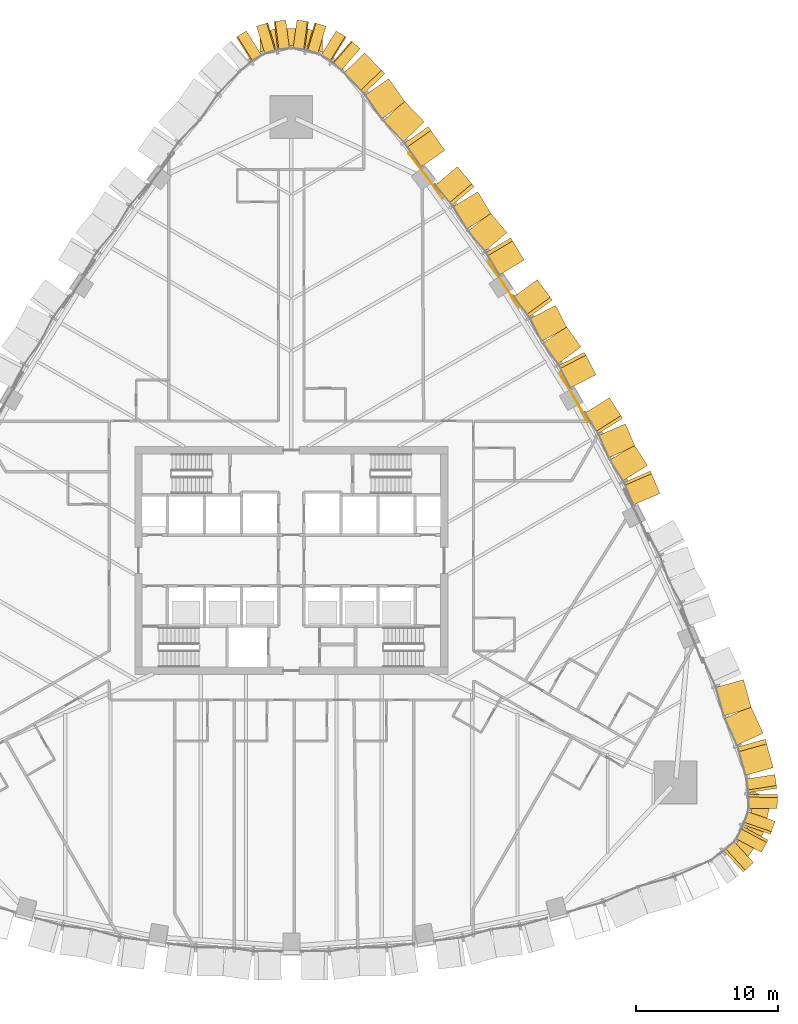
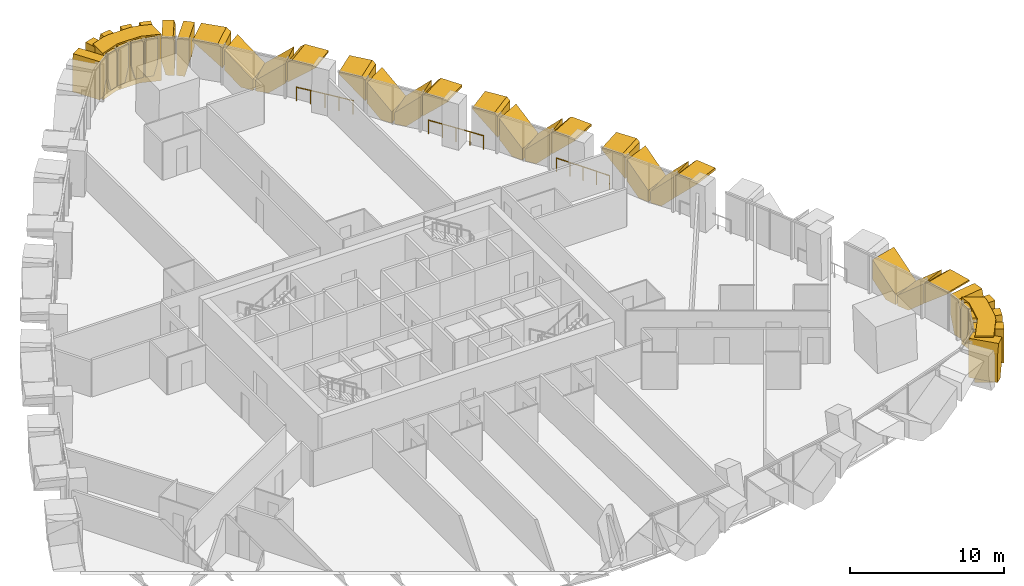
# One storey, part 23 of 24: 33 coverings, 3 railings.
"""IFC4 building model written with IfcOpenShell, lengths in metres."""

from ifc_helpers import new_model, si_unit, direction, frame, origin, origin_2d, place, context, subcontext, project, spatial, polyline, circle, outline, extrude, material, layer, layer_set, type_object, element, save


model = new_model("IFC4")

# Units and contexts
model_context = context("Model", 3, precision=1e-05, world=origin(), true_north=direction((0.0, 1.0)))
body_context = subcontext(model_context, "Body", "Model", "MODEL_VIEW")
ifc_project = project(units=[si_unit("LENGTHUNIT", "METRE"), si_unit("AREAUNIT", "SQUARE_METRE"), si_unit("VOLUMEUNIT", "CUBIC_METRE"), si_unit("PLANEANGLEUNIT", "RADIAN"), si_unit("MASSUNIT", "GRAM", prefix="KILO")], contexts=[model_context])

# Site, building, storey
site_placement = place(None, origin())
site = spatial("IfcSite", under=ifc_project, at=site_placement, CompositionType="ELEMENT")
building_placement = place(site_placement, origin())
building = spatial("IfcBuilding", under=site, at=building_placement, Name="Sierra Prisma Convention Tower", CompositionType="ELEMENT")
storey_placement = place(building_placement, frame((0.0, 0.0, 55.39990234375)))
storey = spatial("IfcBuildingStorey", under=building, at=storey_placement, Name="L09", CompositionType="ELEMENT", Elevation=55.39990234375)

# Coverings
ifc_material_1 = material(Name="Aluminium composite bronze anodised", Category="aluminium")
ifc_layer_1 = layer(ifc_material_1, 1.199951171875)
ifc_layer_set_1 = layer_set([ifc_layer_1], Name="Bronze corner pier")
covering_type_1 = type_object("IfcCoveringType", Name="Bronze corner pier", PredefinedType="CLADDING", material=ifc_layer_set_1)
covering_1_placement = place(storey_placement, frame((0.0, 0.0, -0.599853515625)))
element("IfcCovering", 1, at=covering_1_placement, inside=storey, type_object=covering_type_1, Name="Corner pier SE L09.1", PredefinedType="CLADDING", context=body_context, shape_type="SweptSolid", body=[
    extrude(outline(polyline([(33.218017578125, -19.04541015625), (33.04296875, -19.4443359375), (32.00634765625, -20.97314453125), (31.977294921875, -21.00244140625), (30.898681640625, -20.379638671875), (31.01318359375, -20.2998046875), (32.0498046875, -18.77099609375), (32.471923828125, -16.972900390625), (32.359619140625, -16.142333984375), (33.6572265625, -16.8916015625), (33.64013671875, -17.2470703125), (33.218017578125, -19.04541015625)])), origin(), (0.0, 0.0, 1.0), 3.699951171875),
])
covering_2_placement = place(storey_placement, frame((0.0, 0.0, -0.599853515625)))
element("IfcCovering", 2, at=covering_2_placement, inside=storey, type_object=covering_type_1, Name="Corner pier N L09.1", PredefinedType="CLADDING", context=body_context, shape_type="SweptSolid", body=[
    extrude(outline(polyline([(-0.85986328125, 37.406982421875), (0.85986328125, 37.406982421875), (1.259765625, 37.33837890625), (2.199951171875, 37.006103515625), (2.199951171875, 35.7333984375), (0.85986328125, 36.20703125), (-0.85986328125, 36.20703125), (-2.199951171875, 35.7333984375), (-2.199951171875, 37.006103515625), (-1.259765625, 37.33837890625), (-0.85986328125, 37.406982421875)])), origin(), (0.0, 0.0, 1.0), 3.699951171875),
])
ifc_material_2 = material(Name="Aluminium 6063-T6 bronze anodised", Category="aluminium")
ifc_layer_2 = layer(ifc_material_2, 2.0)
ifc_layer_set_2 = layer_set([ifc_layer_2], Name="Bronze crystal chevron frame")
covering_type_2 = type_object("IfcCoveringType", Name="Bronze crystal chevron frame", PredefinedType="CLADDING", material=ifc_layer_set_2)
covering_3_placement = place(storey_placement, frame((31.771728515625, -21.893310546875, 0.0), z_axis=(0.680955142336, -0.732325128677, -5.909032e-06), x_axis=(0.73232512869, 0.680955142348, -1.06e-10)))
element("IfcCovering", 3, at=covering_3_placement, inside=storey, type_object=covering_type_2, Name="CW-2 chevron frame SE1.1.2", PredefinedType="CLADDING", context=body_context, shape_type="SweptSolid", body=[
    extrude(outline(polyline([(0.0, 0.0), (0.5610834934957836, 0.0), (0.9741233269492914, 1.391113281363185), (0.9741233267804822, 2.9799804688354463), (0.19434161032267033, 2.979980468829169), (-2.4711817034517573e-10, 2.325927734334393), (0.0, 0.0)])), origin(), (0.0, 0.0, -1.0), 2.0),
])
covering_4_placement = place(storey_placement, frame((33.041259765625, -20.50830078125, 2.97998046875), z_axis=(0.881392856811, -0.472383987821, 3.526742e-06), x_axis=(3.108446e-06, -1.665977e-06, -0.999999999994)))
element("IfcCovering", 4, at=covering_4_placement, inside=storey, type_object=covering_type_2, Name="CW-2 chevron frame SE2.1.1", PredefinedType="CLADDING", context=body_context, shape_type="SweptSolid", body=[
    extrude(outline(polyline([(0.0, 0.0), (1.588867187490119, 0.0), (2.979980469004735, 0.41331673159905), (2.9799804687754228, 0.9741949449395889), (0.6540527344148875, 0.9741949449395889), (2.2463628799291612e-10, 0.7797725413978057), (0.0, 0.0)])), origin(), (0.0, 0.0, -1.0), 2.0),
])
covering_5_placement = place(storey_placement, frame((33.679443359375, -19.24365234375, 0.0), z_axis=(0.944493580696, -0.328529870663, -1.028767e-05), x_axis=(0.32852987068, 0.944493580746, 8.19e-10)))
element("IfcCovering", 5, at=covering_5_placement, inside=storey, type_object=covering_type_2, Name="CW-2 chevron frame SE2.1.2", PredefinedType="CLADDING", context=body_context, shape_type="SweptSolid", body=[
    extrude(outline(polyline([(0.0, 0.0), (0.560935332661838, -2.117582368135751e-22), (0.9742429128317911, 1.3911132803838429), (0.9742429141325268, 2.979980467799763), (0.19441748262497535, 2.979980469444971), (1.904134726792451e-09, 2.3259277342519162), (0.0, 0.0)])), origin(), (0.0, 0.0, -1.0), 2.0),
])
covering_6_placement = place(storey_placement, frame((34.1533203125, -17.425537109375, 2.97998046875), z_axis=(0.999987609555, -0.004977965567, 2.4408547e-05), x_axis=(2.4408245e-05, -1.21505e-07, -0.999999999702)))
element("IfcCovering", 6, at=covering_6_placement, inside=storey, type_object=covering_type_2, Name="CW-2 chevron frame SE3.1.1", PredefinedType="CLADDING", context=body_context, shape_type="SweptSolid", body=[
    extrude(outline(polyline([(0.0, 0.0), (1.5888671870266946, 0.0), (2.979980471272062, 0.4133358948170504), (2.9799804686826867, 0.9741333307186059), (0.6540527350005545, 0.9741333307186059), (5.969828460214075e-10, 0.779794939775008), (0.0, 0.0)])), origin(), (0.0, 0.0, -1.0), 2.0),
])
covering_7_placement = place(storey_placement, frame((34.12548828125, -16.009033203125, 0.0), z_axis=(0.988443183587, 0.151591793793, 2.9569282e-05), x_axis=(-0.151591793859, 0.98844318402, -3.69e-09)))
element("IfcCovering", 7, at=covering_7_placement, inside=storey, type_object=covering_type_2, Name="CW-2 chevron frame SE3.1.2", PredefinedType="CLADDING", context=body_context, shape_type="SweptSolid", body=[
    extrude(outline(polyline([(0.0, 0.0), (0.5609151404226612, 0.0), (0.9741535478589086, 1.3911132851759342), (0.9741535419954589, 2.979980471981327), (0.19439632515529215, 2.979980470322284), (-8.583448915273153e-09, 2.325927733358171), (0.0, 0.0)])), origin(), (0.0, 0.0, -1.0), 2.0),
])
covering_8_placement = place(storey_placement, frame((33.872802734375, -14.558837890625, 2.97998046875), z_axis=(0.96314435185, 0.268985050626, 6.236928e-06), x_axis=(6.007062e-06, 1.67764e-06, -0.999999999981)))
element("IfcCovering", 8, at=covering_8_placement, inside=storey, type_object=covering_type_2, Name="CW-2 chevron frame NE1.1.1", PredefinedType="CLADDING", context=body_context, shape_type="SweptSolid", body=[
    extrude(outline(polyline([(0.0, 0.0), (0.11401367187278248, -2.4143334128891495e-23), (1.85913085935018, 2.07577097369332), (0.29150390625566963, 2.07577097369332), (-6.541458624877486e-11, 1.7290098011596895), (0.0, 0.0)])), origin(), (0.0, 0.0, -1.0), 2.0),
])
covering_9_placement = place(storey_placement, frame((33.161865234375, -12.14306640625, 2.579345703125), z_axis=(0.909210430135, 0.416336874661, 2.3034587e-05), x_axis=(2.0943287e-05, 9.590148e-06, -0.999999999735)))
element("IfcCovering", 9, at=covering_9_placement, inside=storey, type_object=covering_type_2, Name="CW-2 chevron frame NE1.1.2", PredefinedType="CLADDING", context=body_context, shape_type="SweptSolid", body=[
    extrude(outline(polyline([(0.0, 0.0), (1.5676269527091147, 0.0), (2.579345704251925, 1.2034678749948213), (2.5793457029775197, 2.075912688948284), (1.7451171875738374, 2.075912688948284), (0.0, 0.0)])), origin(), (0.0, 0.0, -1.0), 2.0),
])
covering_10_placement = place(storey_placement, frame((32.34033203125, -10.3720703125, 0.0), z_axis=(0.963147549927, 0.268973598255, 2.2599076e-05), x_axis=(-0.268973598324, 0.963147550173, -1.406e-09)))
element("IfcCovering", 10, at=covering_10_placement, inside=storey, type_object=covering_type_2, Name="CW-2 chevron frame NE1.2.1", PredefinedType="CLADDING", context=body_context, shape_type="SweptSolid", body=[
    extrude(outline(polyline([(0.0, 0.0), (0.8724700917200985, -8.470329472543003e-22), (2.0757709721457456, 1.0117187531768346), (2.0757709699417006, 2.579345705901526), (-1.172904721923703e-09, 0.8342285154119721), (0.0, 0.0)])), origin(), (0.0, 0.0, -1.0), 2.0),
])
covering_11_placement = place(storey_placement, frame((25.912109375, 4.714111328125, 2.97998046875), z_axis=(0.918286859393, 0.395915697088, 6.8309802e-05), x_axis=(6.2727993e-05, 2.7044923e-05, -0.999999997667)))
element("IfcCovering", 11, at=covering_11_placement, inside=storey, type_object=covering_type_2, Name="CW-2 chevron frame NE3.1.1", PredefinedType="CLADDING", context=body_context, shape_type="SweptSolid", body=[
    extrude(outline(polyline([(0.0, 0.0), (0.19018554643127536, 0.0), (1.9147949184089352, 1.718015340307653), (0.21459960987568547, 1.718015340307653), (-8.820949985614628e-09, 1.504321622488748), (0.0, 0.0)])), origin(), (0.0, 0.0, -1.0), 2.0),
])
covering_12_placement = place(storey_placement, frame((25.02490234375, 6.683837890625, 2.635009765625), z_axis=(0.84510707542, 0.534597073452, -1.1496973e-05), x_axis=(-9.716173e-06, -6.146248e-06, -0.999999999934)))
element("IfcCovering", 12, at=covering_12_placement, inside=storey, type_object=covering_type_2, Name="CW-2 chevron frame NE3.1.2", PredefinedType="CLADDING", context=body_context, shape_type="SweptSolid", body=[
    extrude(outline(polyline([(0.0, 0.0), (1.7001953123876339, 0.0), (2.6350097659194853, 0.9311092619868796), (2.635009765574416, 1.71801903523248), (1.7246093750095843, 1.71801903523248), (0.0, 0.0)])), origin(), (0.0, 0.0, -1.0), 2.0),
])
covering_13_placement = place(storey_placement, frame((24.164306640625, 8.02587890625, 0.0), z_axis=(0.918292817178, 0.395901884027, 1.1965024e-05), x_axis=(-0.395901884055, 0.918292817244, -4.75e-10)))
element("IfcCovering", 13, at=covering_13_placement, inside=storey, type_object=covering_type_2, Name="CW-2 chevron frame NE3.2.1", PredefinedType="CLADDING", context=body_context, shape_type="SweptSolid", body=[
    extrude(outline(polyline([(0.0, 0.0), (0.7869427595449374, 0.0), (1.7180153398898188, 0.9348144540078405), (1.7180153390823563, 2.6350097663861387), (-4.323704947032593e-10, 0.9104003905598326), (0.0, 0.0)])), origin(), (0.0, 0.0, -1.0), 2.0),
])
covering_14_placement = place(storey_placement, frame((22.358642578125, 11.447265625, 2.97998046875), z_axis=(0.845061825182, 0.534668599461, -1.9233289e-05), x_axis=(0.53466859956, -0.845061825339, 4.65e-10)))
element("IfcCovering", 14, at=covering_14_placement, inside=storey, type_object=covering_type_2, Name="CW-2 chevron frame NE3.2.2", PredefinedType="CLADDING", context=body_context, shape_type="SweptSolid", body=[
    extrude(outline(polyline([(0.0, 0.0), (1.5040503490388701, 1.6940658945086007e-21), (1.7178127159665897, 0.21459961021336685), (1.717812715176106, 1.9147949223988994), (-8.842428399478558e-11, 0.19018554683982333), (0.0, 0.0)])), origin(), (0.0, 0.0, -1.0), 2.0),
])
covering_15_placement = place(storey_placement, frame((21.416259765625, 13.056396484375, 2.97998046875), z_axis=(0.889570592092, 0.456797724849, 1.605548e-05), x_axis=(1.4282483e-05, 7.334107e-06, -0.999999999871)))
element("IfcCovering", 15, at=covering_15_placement, inside=storey, type_object=covering_type_2, Name="CW-2 chevron frame NE4.1.1", PredefinedType="CLADDING", context=body_context, shape_type="SweptSolid", body=[
    extrude(outline(polyline([(0.0, 0.0), (0.17480468747746955, 1.4806532964699195e-22), (1.9033203123139664, 1.7786938077600265), (0.22998046877964198, 1.7786938077600265), (-4.764118240295631e-10, 1.5418625545352764), (0.0, 0.0)])), origin(), (0.0, 0.0, -1.0), 2.0),
])
covering_16_placement = place(storey_placement, frame((20.370849609375, 15.01611328125, 2.62353515625), z_axis=(0.807184388707, 0.590299382648, -3.8382958e-05), x_axis=(-3.0982124e-05, -2.2657436e-05, -0.999999999263)))
element("IfcCovering", 16, at=covering_16_placement, inside=storey, type_object=covering_type_2, Name="CW-2 chevron frame NE4.1.2", PredefinedType="CLADDING", context=body_context, shape_type="SweptSolid", body=[
    extrude(outline(polyline([(0.0, 0.0), (1.6733398425173749, 0.0), (2.6235351595011522, 0.977950481348299), (2.623535155717313, 1.7787912695608776), (1.7285156251266076, 1.7787912695608776), (0.0, 0.0)])), origin(), (0.0, 0.0, -1.0), 2.0),
])
covering_17_placement = place(storey_placement, frame((19.02001953125, 17.05859375, 0.0), z_axis=(0.889560854446, 0.456816685684, -4.3786311e-05), x_axis=(-0.327580550016, 0.637965640161, 0.696915220973)))
element("IfcCovering", 17, at=covering_17_placement, inside=storey, type_object=covering_type_2, Name="CW-2 chevron frame NE4.2.1", PredefinedType="CLADDING", context=body_context, shape_type="SweptSolid", body=[
    extrude(outline(polyline([(0.0, 0.0), (1.3634302836678591, 1.1102230246251565e-16), (2.529606290638427, 1.200041560979892), (0.04938091250553844, 1.2000292818202936), (-0.5743718218910331, 0.5581628735109436), (0.0, 0.0)])), origin(), (0.0, 0.0, -1.0), 2.0),
])
covering_18_placement = place(storey_placement, frame((17.29052734375, 19.741455078125, 2.97998046875), z_axis=(0.807169573722, 0.59031964053, -3.5530126e-05), x_axis=(0.590319640903, -0.807169574231, 1.513e-09)))
element("IfcCovering", 18, at=covering_18_placement, inside=storey, type_object=covering_type_2, Name="CW-2 chevron frame NE4.2.2", PredefinedType="CLADDING", context=body_context, shape_type="SweptSolid", body=[
    extrude(outline(polyline([(0.0, 0.0), (1.5417126321146175, -3.3881317890172014e-21), (1.7787912695679726, 0.22998047158701332), (1.7787912670357018, 1.9033203142808097), (-2.645325212505952e-10, 0.17480468738966418), (0.0, 0.0)])), origin(), (0.0, 0.0, -1.0), 2.0),
])
covering_19_placement = place(storey_placement, frame((16.363037109375, 21.114013671875, 2.97998046875), z_axis=(0.856788390037, 0.5156681623, -3.2992443e-05), x_axis=(-2.8267542e-05, -1.7013152e-05, -0.999999999456)))
element("IfcCovering", 19, at=covering_19_placement, inside=storey, type_object=covering_type_2, Name="CW-2 chevron frame NE5.1.1", PredefinedType="CLADDING", context=body_context, shape_type="SweptSolid", body=[
    extrude(outline(polyline([(0.0, 0.0), (0.16259765616150612, -5.509022879603164e-22), (1.89428710860792, 1.830799363691664), (0.2424316407569436, 1.830799363691664), (-1.975034546102477e-09, 1.5743048091088028), (0.0, 0.0)])), origin(), (0.0, 0.0, -1.0), 2.0),
])
covering_20_placement = place(storey_placement, frame((15.1611328125, 23.04345703125, 2.614501953125), z_axis=(0.765586868686, 0.643332531645, 1.4901165e-05), x_axis=(1.1408137e-05, 9.586404e-06, -0.999999999889)))
element("IfcCovering", 20, at=covering_20_placement, inside=storey, type_object=covering_type_2, Name="CW-2 chevron frame NE5.1.2", PredefinedType="CLADDING", context=body_context, shape_type="SweptSolid", body=[
    extrude(outline(polyline([(0.0, 0.0), (1.6518554685666071, 1.3991760061334463e-21), (2.6145019536112923, 1.0178640466753048), (2.614501953048483, 1.83107403955509), (1.7316894531464944, 1.83107403955509), (0.0, 0.0)])), origin(), (0.0, 0.0, -1.0), 2.0),
])
covering_21_placement = place(storey_placement, frame((14.055419921875, 24.34423828125, 0.0), z_axis=(0.856760908427, 0.515713821561, -6.549214e-06), x_axis=(-0.515713821572, 0.856760908445, -1.34e-10)))
element("IfcCovering", 21, at=covering_21_placement, inside=storey, type_object=covering_type_2, Name="CW-2 chevron frame NE5.2.1", PredefinedType="CLADDING", context=body_context, shape_type="SweptSolid", body=[
    extrude(outline(polyline([(0.0, 0.0), (0.8132792915436755, 4.235164736271502e-22), (1.8311344382278698, 0.9626464846404273), (1.8311344380070531, 2.6145019533550014), (-1.180125654485928e-10, 0.882812499981067), (0.0, 0.0)])), origin(), (0.0, 0.0, -1.0), 2.0),
])
covering_22_placement = place(storey_placement, frame((11.675537109375, 27.67578125, 2.97998046875), z_axis=(0.765595049453, 0.643322795254, 3.688143e-05), x_axis=(0.643322795692, -0.765595049973, 1.567e-09)))
element("IfcCovering", 22, at=covering_22_placement, inside=storey, type_object=covering_type_2, Name="CW-2 chevron frame NE5.2.2", PredefinedType="CLADDING", context=body_context, shape_type="SweptSolid", body=[
    extrude(outline(polyline([(0.0, 0.0), (1.574622713889736, -3.3881317890172014e-21), (1.831074039209455, 0.24243164365994038), (1.8310740366203075, 1.8942871112864805), (-2.5485843954619576e-10, 0.1625976561394141), (0.0, 0.0)])), origin(), (0.0, 0.0, -1.0), 2.0),
])
covering_23_placement = place(storey_placement, frame((10.78662109375, 28.82568359375, 2.97998046875), z_axis=(0.820170089425, 0.57211976319, -3.1319165e-05), x_axis=(-2.5687042e-05, -1.7918313e-05, -0.99999999951)))
element("IfcCovering", 23, at=covering_23_placement, inside=storey, type_object=covering_type_2, Name="CW-2 chevron frame NE6.1.1", PredefinedType="CLADDING", context=body_context, shape_type="SweptSolid", body=[
    extrude(outline(polyline([(0.0, 0.0), (0.12182617181525096, 2.063815628319804e-22), (1.8645019524888344, 2.0325019059441423), (0.28369140638913504, 2.0325019059441423), (-1.6700994964184582e-09, 1.7014486646500795), (0.0, 0.0)])), origin(), (0.0, 0.0, -1.0), 2.0),
])
covering_24_placement = place(storey_placement, frame((9.34228515625, 30.835205078125, 2.584716796875), z_axis=(0.720555218204, 0.69339756085, -1.1223126e-05), x_axis=(-8.086882e-06, -7.782088e-06, -0.999999999937)))
element("IfcCovering", 24, at=covering_24_placement, inside=storey, type_object=covering_type_2, Name="CW-2 chevron frame NE6.1.2", PredefinedType="CLADDING", context=body_context, shape_type="SweptSolid", body=[
    extrude(outline(polyline([(0.0, 0.0), (1.5808105467754416, 0.0), (2.584716797143846, 1.1706702072811948), (2.584716796838667, 2.0322707325535356), (1.7426757812666982, 2.0322707325535356), (0.0, 0.0)])), origin(), (0.0, 0.0, -1.0), 2.0),
])
covering_25_placement = place(storey_placement, frame((8.011962890625, 32.20361328125, 0.0), z_axis=(0.82015689664, 0.572138675028, -3.7834241e-05), x_axis=(-0.572138675438, 0.820156897227, -4.024e-09)))
element("IfcCovering", 25, at=covering_25_placement, inside=storey, type_object=covering_type_2, Name="CW-2 chevron frame NE6.2.1", PredefinedType="CLADDING", context=body_context, shape_type="SweptSolid", body=[
    extrude(outline(polyline([(0.0, 0.0), (0.8618345561169958, -3.3881317890172014e-21), (2.032501901568813, 1.0039062588975805), (2.032501895207412, 2.584716804641171), (-3.388489911886304e-09, 0.8420410150223387), (0.0, 0.0)])), origin(), (0.0, 0.0, -1.0), 2.0),
])
covering_26_placement = place(storey_placement, frame((5.158447265625, 35.677490234375, 2.97998046875), z_axis=(0.720549729223, 0.693403264651, -1.6991654e-05), x_axis=(0.693403264751, -0.720549729327, 2.89e-10)))
element("IfcCovering", 26, at=covering_26_placement, inside=storey, type_object=covering_type_2, Name="CW-2 chevron frame NE6.2.2", PredefinedType="CLADDING", context=body_context, shape_type="SweptSolid", body=[
    extrude(outline(polyline([(0.0, 0.0), (1.7012706948793344, 1.6940658945086007e-21), (2.032270732497079, 0.28369140687817396), (2.032270732040307, 1.8645019535249712), (-3.520144307390217e-11, 0.12182617185741339), (0.0, 0.0)])), origin(), (0.0, 0.0, -1.0), 2.0),
])
covering_27_placement = place(storey_placement, frame((4.841796875, 35.978515625, 2.97998046875), z_axis=(0.656095884675, 0.754677540423, 9.647537e-06), x_axis=(6.329709e-06, 7.280779e-06, -0.999999999953)))
element("IfcCovering", 27, at=covering_27_placement, inside=storey, type_object=covering_type_2, Name="CW-2 chevron frame N1.1.1", PredefinedType="CLADDING", context=body_context, shape_type="SweptSolid", body=[
    extrude(outline(polyline([(0.0, 0.0), (1.9206542967856177, 0.0), (2.9799804685906506, 0.2723878605152569), (2.979980468637217, 0.8272001031867038), (0.3198242187610139, 0.8272001031867038), (-5.251692550195618e-10, 0.7446571199783197), (0.0, 0.0)])), origin(), (0.0, 0.0, -1.0), 2.0),
])
covering_28_placement = place(storey_placement, frame((3.861083984375, 36.784912109375, 0.0), z_axis=(0.530075883677, 0.847950209317, -7.943239e-06), x_axis=(-0.847950209344, 0.530075883693, 2.1e-11)))
element("IfcCovering", 28, at=covering_28_placement, inside=storey, type_object=covering_type_2, Name="CW-2 chevron frame N1.1.2", PredefinedType="CLADDING", context=body_context, shape_type="SweptSolid", body=[
    extrude(outline(polyline([(0.0, 0.0), (0.5545320964754743, 0.0), (0.8271917086543951, 1.0593261718449962), (0.8271917086940244, 2.9799804686594045), (0.08237239826791341, 2.979980469006043), (5.4887611687864625e-11, 2.6601562499160787), (0.0, 0.0)])), origin(), (0.0, 0.0, -1.0), 2.0),
])
covering_29_placement = place(storey_placement, frame((2.4404296875, 37.548583984375, 2.97998046875), z_axis=(0.286877066832, 0.957967404716, -5.346759e-06), x_axis=(-1.533863e-06, -5.122021e-06, -0.999999999986)))
element("IfcCovering", 29, at=covering_29_placement, inside=storey, type_object=covering_type_2, Name="CW-2 chevron frame N2.1.1", PredefinedType="CLADDING", context=body_context, shape_type="SweptSolid", body=[
    extrude(outline(polyline([(0.0, 0.0), (1.9206542968475464, 0.0), (2.979980469241156, 0.27266254503118886), (2.979980468783953, 0.8272477306434403), (0.31982421882197687, 0.8272477306434403), (4.179599675278915e-10, 0.7449111712658477), (0.0, 0.0)])), origin(), (0.0, 0.0, -1.0), 2.0),
])
covering_30_placement = place(storey_placement, frame((1.214599609375, 37.87939453125, 0.0), z_axis=(0.13339534882, 0.991062904618, -1.549793e-06), x_axis=(-0.99106290462, 0.13339534882, -7.8e-11)))
element("IfcCovering", 30, at=covering_30_placement, inside=storey, type_object=covering_type_2, Name="CW-2 chevron frame N2.1.2", PredefinedType="CLADDING", context=body_context, shape_type="SweptSolid", body=[
    extrude(outline(polyline([(0.0, 0.0), (0.5547588993886651, 0.0), (0.8272177566018948, 1.0593261719453286), (0.8272177564522115, 2.979980468818022), (0.08252169501787966, 2.979980468718946), (-2.073153460150869e-10, 2.6601562499968052), (0.0, 0.0)])), origin(), (0.0, 0.0, -1.0), 2.0),
])
covering_31_placement = place(storey_placement, frame((-0.394775390625, 37.98974609375, 2.97998046875), z_axis=(-0.13339534882, 0.991062904618, -1.549793e-06), x_axis=(2.06735e-07, -1.535942e-06, -0.999999999999)))
element("IfcCovering", 31, at=covering_31_placement, inside=storey, type_object=covering_type_2, Name="CW-2 chevron frame N3.1.1", PredefinedType="CLADDING", context=body_context, shape_type="SweptSolid", body=[
    extrude(outline(polyline([(0.0, 0.0), (1.9206542968726934, 0.0), (2.9799804687967884, 0.2724588572957867), (2.979980468753554, 0.8272177566844519), (0.3198242187567487, 0.8272177566844519), (4.103874491460124e-11, 0.7446960614343318), (0.0, 0.0)])), origin(), (0.0, 0.0, -1.0), 2.0),
])
covering_32_placement = place(storey_placement, frame((-1.64794921875, 37.785888671875, 0.0), z_axis=(-0.286877066832, 0.957967404716, -5.346759e-06), x_axis=(-0.957967404729, -0.286877066836, -8.24e-10)))
element("IfcCovering", 32, at=covering_32_placement, inside=storey, type_object=covering_type_2, Name="CW-2 chevron frame N3.1.2", PredefinedType="CLADDING", context=body_context, shape_type="SweptSolid", body=[
    extrude(outline(polyline([(0.0, 0.0), (0.5545851856122515, 2.117582368135751e-22), (0.8272477297701254, 1.0593261726183942), (0.8272477281867265, 2.97998046946594), (0.08233655692087889, 2.979980468433871), (-2.1930486840696785e-09, 2.6601562499619753), (0.0, 0.0)])), origin(), (0.0, 0.0, -1.0), 2.0),
])
covering_33_placement = place(storey_placement, frame((-3.15966796875, 37.223388671875, 2.97998046875), z_axis=(-0.530075883677, 0.847950209317, -7.943239e-06), x_axis=(4.210519e-06, -6.735471e-06, -0.999999999968)))
element("IfcCovering", 33, at=covering_33_placement, inside=storey, type_object=covering_type_2, Name="CW-2 chevron frame N4.1.1", PredefinedType="CLADDING", context=body_context, shape_type="SweptSolid", body=[
    extrude(outline(polyline([(0.0, 0.0), (1.920654296814408, 1.6268574697386672e-21), (2.97998046866503, 0.27265961215706347), (2.9799804686764717, 0.8271917086325378), (0.31982421876039313, 0.8271917086325378), (-3.3127068989642893e-10, 0.7448193104261109), (0.0, 0.0)])), origin(), (0.0, 0.0, -1.0), 2.0),
])

# Railings
ifc_material_3 = material(Name="Bronze anodised aluminium", Category="aluminium")
railing_type = type_object("IfcRailingType", Name="Facade guard 1100", PredefinedType="GUARDRAIL", material=ifc_material_3)
railing_1_placement = place(storey_placement, frame((20.8701171875, 9.7451171875, 0.0)))
element("IfcRailing", 34, at=railing_1_placement, inside=storey, type_object=railing_type, Name="Facade guard", PredefinedType="GUARDRAIL", context=body_context, shape_type="SweptSolid", body=[
    extrude(circle(Radius=0.02392578125, at=origin_2d()), frame((0.0, 0.0, 1.076171875), z_axis=(-0.491531303579, 0.87085990699, 0.0), x_axis=(-0.87085990699, -0.491531303579, 0.0)), (0.0, 0.0, 1.0), 0.994384765625),
    extrude(circle(Radius=0.02392578125, at=origin_2d()), frame((-0.48876953125, 0.865966796875, 1.076171875), z_axis=(-0.496217793427, 0.868198077334, 0.0), x_axis=(-0.868198077334, -0.496217793427, 0.0)), (0.0, 0.0, 1.0), 1.000244140625),
    extrude(circle(Radius=0.02392578125, at=origin_2d()), frame((-0.985107421875, 1.734375, 1.076171875), z_axis=(-0.503657252574, 0.863903566337, 0.0), x_axis=(-0.863903566337, -0.503657252574, 0.0)), (0.0, 0.0, 1.0), 0.994140625),
    extrude(circle(Radius=0.02392578125, at=origin_2d()), frame((-1.48583984375, 2.59326171875, 1.076171875), z_axis=(-0.508235776172, 0.861217972303, 0.0), x_axis=(-0.861217972303, -0.508235776172, 0.0)), (0.0, 0.0, 1.0), 1.000244140625),
    extrude(circle(Radius=0.02099609375, at=origin_2d()), origin(), (0.0, 0.0, 1.0), 1.052001953125),
    extrude(circle(Radius=0.02099609375, at=origin_2d()), frame((-0.48876953125, 0.865966796875, 0.0)), (0.0, 0.0, 1.0), 1.052001953125),
    extrude(circle(Radius=0.02099609375, at=origin_2d()), frame((-0.985107421875, 1.734375, 0.0)), (0.0, 0.0, 1.0), 1.052001953125),
    extrude(circle(Radius=0.02099609375, at=origin_2d()), frame((-1.48583984375, 2.59326171875, 0.0)), (0.0, 0.0, 1.0), 1.052001953125),
    extrude(circle(Radius=0.02099609375, at=origin_2d()), frame((-1.994140625, 3.45458984375, 0.0)), (0.0, 0.0, 1.0), 1.052001953125),
])
railing_2_placement = place(storey_placement, frame((16.0302734375, 17.77099609375, 0.0)))
element("IfcRailing", 35, at=railing_2_placement, inside=storey, type_object=railing_type, Name="Facade guard", PredefinedType="GUARDRAIL", context=body_context, shape_type="SweptSolid", body=[
    extrude(circle(Radius=0.02392578125, at=origin_2d()), frame((0.0, 0.0, 1.076171875), z_axis=(-0.544695094873, 0.838634159584, 0.0), x_axis=(-0.838634159584, -0.544695094873, 0.0)), (0.0, 0.0, 1.0), 0.9951171875),
    extrude(circle(Radius=0.02392578125, at=origin_2d()), frame((-0.5419921875, 0.83447265625, 1.076171875), z_axis=(-0.555602004554, 0.831448382364, 0.0), x_axis=(-0.831448382364, -0.555602004554, 0.0)), (0.0, 0.0, 1.0), 0.999267578125),
    extrude(circle(Radius=0.02392578125, at=origin_2d()), frame((-1.09716796875, 1.665283203125, 1.076171875), z_axis=(-0.556510882103, 0.830840320459, 0.0), x_axis=(-0.830840320459, -0.556510882103, 0.0)), (0.0, 0.0, 1.0), 0.994873046875),
    extrude(circle(Radius=0.02392578125, at=origin_2d()), frame((-1.65087890625, 2.491943359375, 1.076171875), z_axis=(-0.566984907075, 0.823728180378, 0.0), x_axis=(-0.823728180378, -0.566984907075, 0.0)), (0.0, 0.0, 1.0), 0.99951171875),
    extrude(circle(Radius=0.02099609375, at=origin_2d()), origin(), (0.0, 0.0, 1.0), 1.052001953125),
    extrude(circle(Radius=0.02099609375, at=origin_2d()), frame((-0.5419921875, 0.83447265625, 0.0)), (0.0, 0.0, 1.0), 1.052001953125),
    extrude(circle(Radius=0.02099609375, at=origin_2d()), frame((-1.09716796875, 1.665283203125, 0.0)), (0.0, 0.0, 1.0), 1.052001953125),
    extrude(circle(Radius=0.02099609375, at=origin_2d()), frame((-1.65087890625, 2.491943359375, 0.0)), (0.0, 0.0, 1.0), 1.052001953125),
    extrude(circle(Radius=0.02099609375, at=origin_2d()), frame((-2.217529296875, 3.315185546875, 0.0)), (0.0, 0.0, 1.0), 1.052001953125),
])
railing_3_placement = place(storey_placement, frame((10.673828125, 25.461181640625, 0.0)))
element("IfcRailing", 36, at=railing_3_placement, inside=storey, type_object=railing_type, Name="Facade guard", PredefinedType="GUARDRAIL", context=body_context, shape_type="SweptSolid", body=[
    extrude(circle(Radius=0.02392578125, at=origin_2d()), frame((0.0, 0.0, 1.076171875), z_axis=(-0.600859070251, 0.799354976026, 0.0), x_axis=(-0.799354976026, -0.600859070251, 0.0)), (0.0, 0.0, 1.0), 1.0),
    extrude(circle(Radius=0.02392578125, at=origin_2d()), frame((-0.600830078125, 0.79931640625, 1.076171875), z_axis=(-0.606930521637, 0.794754894232, 0.0), x_axis=(-0.794754894232, -0.606930521637, 0.0)), (0.0, 0.0, 1.0), 0.994384765625),
    extrude(circle(Radius=0.02392578125, at=origin_2d()), frame((-1.204345703125, 1.589599609375, 1.076171875), z_axis=(-0.611961468532, 0.790887577999, 0.0), x_axis=(-0.790887577999, -0.611961468532, 0.0)), (0.0, 0.0, 1.0), 1.000244140625),
    extrude(circle(Radius=0.02392578125, at=origin_2d()), frame((-1.81640625, 2.380615234375, 1.076171875), z_axis=(-0.618114340825, 0.786088202218, 0.0), x_axis=(-0.786088202218, -0.618114340825, 0.0)), (0.0, 0.0, 1.0), 0.994140625),
    extrude(circle(Radius=0.02099609375, at=origin_2d()), origin(), (0.0, 0.0, 1.0), 1.052001953125),
    extrude(circle(Radius=0.02099609375, at=origin_2d()), frame((-0.600830078125, 0.79931640625, 0.0)), (0.0, 0.0, 1.0), 1.052001953125),
    extrude(circle(Radius=0.02099609375, at=origin_2d()), frame((-1.204345703125, 1.589599609375, 0.0)), (0.0, 0.0, 1.0), 1.052001953125),
    extrude(circle(Radius=0.02099609375, at=origin_2d()), frame((-1.81640625, 2.380615234375, 0.0)), (0.0, 0.0, 1.0), 1.052001953125),
    extrude(circle(Radius=0.02099609375, at=origin_2d()), frame((-2.430908203125, 3.162109375, 0.0)), (0.0, 0.0, 1.0), 1.052001953125),
])

save(model, "model.ifc")
